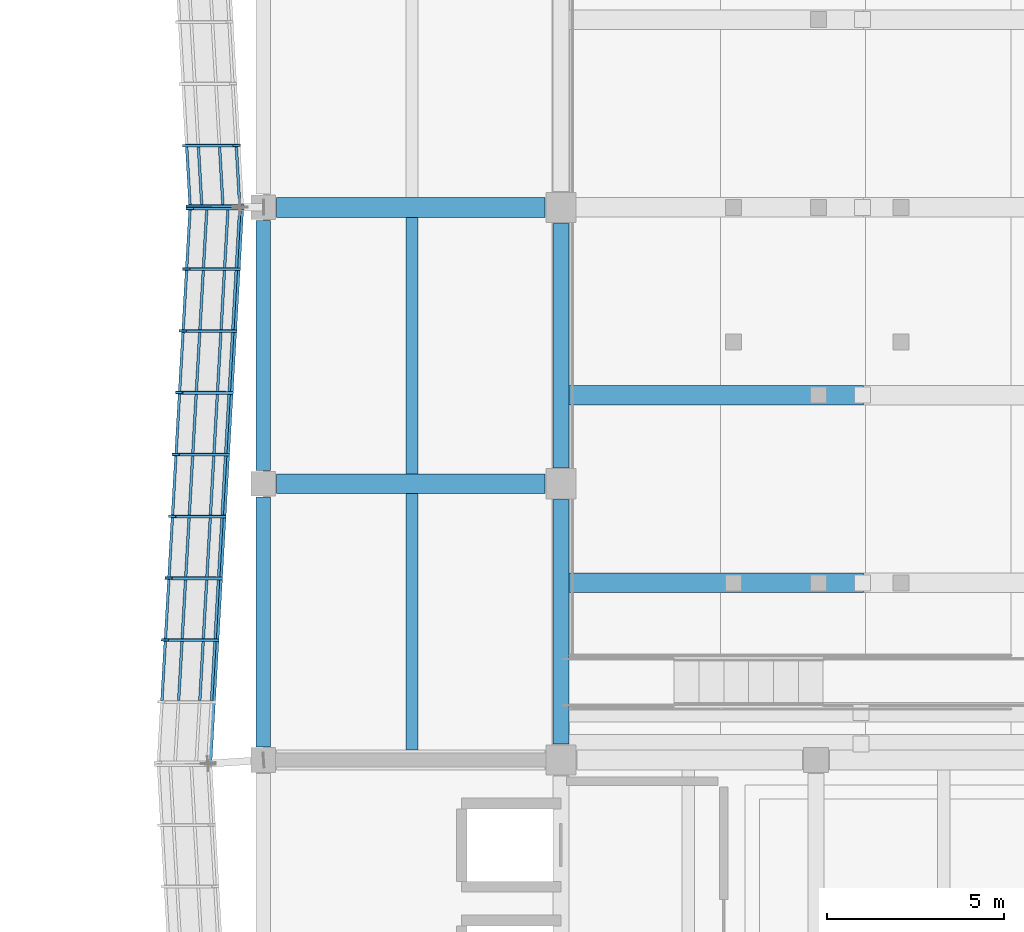
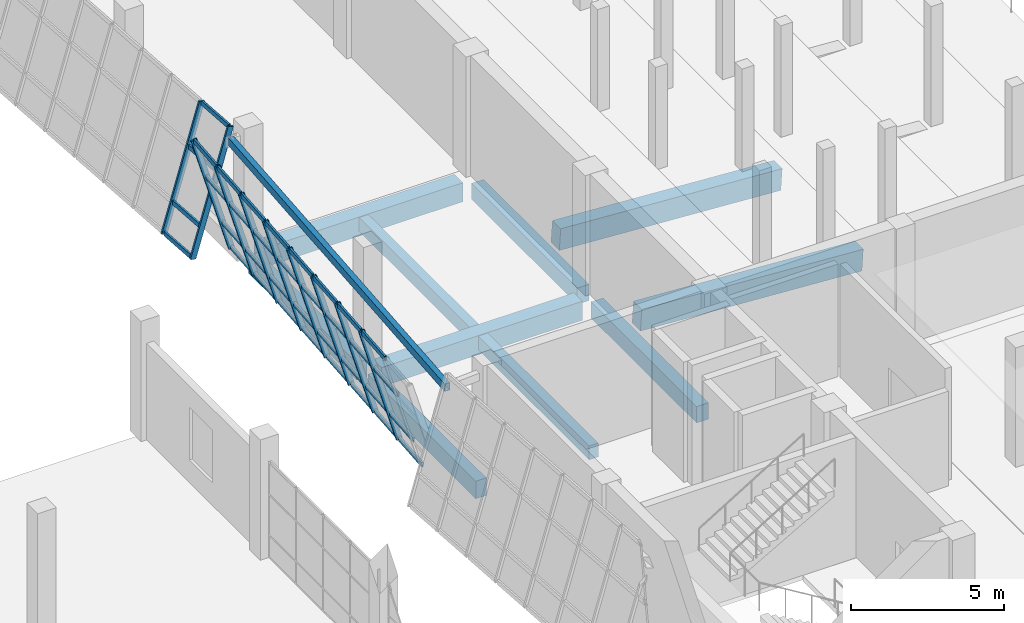
# One storey, part 31 of 91: 46 members, 11 beams, 2 elements without a shape of their own.
"""IFC4 building model written with IfcOpenShell, lengths in metres."""

from ifc_helpers import new_model, si_unit, direction, frame, origin, origin_2d, place, context, subcontext, project, spatial, rectangle, hollow_rectangle, extrude, material, material_profile, profile_set, type_object, element, aggregate, save


model = new_model("IFC4")

# Units and contexts
model_context = context("Model", 3, precision=1e-05, world=origin(), true_north=direction((0.0, 1.0)))
body_context = subcontext(model_context, "Body", "Model", "MODEL_VIEW")
ifc_project = project(units=[si_unit("LENGTHUNIT", "METRE"), si_unit("AREAUNIT", "SQUARE_METRE"), si_unit("VOLUMEUNIT", "CUBIC_METRE"), si_unit("PLANEANGLEUNIT", "RADIAN"), si_unit("MASSUNIT", "GRAM", prefix="KILO")], contexts=[model_context])

# Site, building, storey
site_placement = place(None, origin())
site = spatial("IfcSite", under=ifc_project, at=site_placement, CompositionType="ELEMENT")
building_placement = place(site_placement, origin())
building = spatial("IfcBuilding", under=site, at=building_placement, Name="Pellamere Symphony Hall", CompositionType="ELEMENT")
storey_placement = place(building_placement, frame((0.0, 0.0, 5.39990234375)))
storey = spatial("IfcBuildingStorey", under=building, at=storey_placement, Name="L01", CompositionType="ELEMENT", Elevation=5.39990234375)

# Curtain wall, members
ifc_material_1 = material(Name="Thermally Broken Anodised Aluminium 6063-T6 Curtain Wall", Category="aluminium")
curtain_wall_type = type_object("IfcCurtainWallType", Name="Curtain Wall CW-01 (Tilted Faceted Crystal Low-Iron Curtain Wall)", PredefinedType="NOTDEFINED", material=ifc_material_1)
curtain_wall_1_placement = place(storey_placement, origin())
curtain_wall_1 = element("IfcCurtainWall", 1, at=curtain_wall_1_placement, inside=storey, type_object=curtain_wall_type, Name="Crystal Faceted Curtain Wall CW-CR16 (L01)", PredefinedType="NOTDEFINED")
ifc_material_2 = material(Name="Anodised Architectural Aluminium 6063-T6", Category="aluminium")
ifc_material_profile_1 = material_profile(ifc_material_2, hollow_rectangle(XDim=0.074951171875, YDim=0.219970703125, WallThickness=0.0048828125, at=origin_2d()), Name="ALU-M75X220X5")
ifc_profile_set_1 = profile_set([ifc_material_profile_1], Name="Anodised Architectural Aluminium 6063-T6")
member_type_1 = type_object("IfcMemberType", Name="Curtain Wall Mullion ML-01 ALU-M75X220X5", PredefinedType="MULLION", material=ifc_profile_set_1)
member_1_placement = place(storey_placement, frame((48.228271484375, 63.54443359375, 0.0), z_axis=(0.283977077304, 0.0, 0.958831069358), x_axis=(-0.054874749346, 0.99836096977, 0.016252259063)))
member_1 = element("IfcMember", 2, at=member_1_placement, type_object=member_type_1, Name="CW1-043 crystal mullion 9", PredefinedType="MULLION", context=body_context, shape_type="SweptSolid", body=[
    extrude(hollow_rectangle(XDim=0.074951171875, YDim=0.219970703125, WallThickness=0.0048828125, at=origin_2d()), origin(), (0.0, 0.0, 1.0), 5.006103515625),
])
member_2_placement = place(storey_placement, frame((48.326171875, 61.83740234375, 0.0), z_axis=(0.283977077304, 0.0, 0.958831069358), x_axis=(-0.054874749346, 0.99836096977, 0.016252259063)))
member_2 = element("IfcMember", 3, at=member_2_placement, type_object=member_type_1, Name="CW1-043 crystal mullion 10", PredefinedType="MULLION", context=body_context, shape_type="SweptSolid", body=[
    extrude(hollow_rectangle(XDim=0.074951171875, YDim=0.219970703125, WallThickness=0.0048828125, at=origin_2d()), origin(), (0.0, 0.0, 1.0), 5.006103515625),
])

curtain_wall_2_placement = place(storey_placement, origin())
curtain_wall_2 = element("IfcCurtainWall", 4, at=curtain_wall_2_placement, inside=storey, type_object=curtain_wall_type, Name="Crystal Faceted Curtain Wall CW-CR17 (L01)", PredefinedType="NOTDEFINED")
member_3_placement = place(storey_placement, frame((49.747802734375, 61.762451171875, 0.0), z_axis=(-0.283977077304, 0.0, 0.958831069358), x_axis=(-0.054874749346, -0.99836096977, -0.016252259063)))
member_3 = element("IfcMember", 5, at=member_3_placement, type_object=member_type_1, Name="CW1-048 crystal mullion 1", PredefinedType="MULLION", context=body_context, shape_type="SweptSolid", body=[
    extrude(hollow_rectangle(XDim=0.074951171875, YDim=0.219970703125, WallThickness=0.0048828125, at=origin_2d()), origin(), (0.0, 0.0, 1.0), 5.006103515625),
])
member_4_placement = place(storey_placement, frame((49.64990234375, 60.0556640625, 0.0), z_axis=(-0.283977077304, 0.0, 0.958831069358), x_axis=(-0.054874749346, -0.99836096977, -0.016252259063)))
member_4 = element("IfcMember", 6, at=member_4_placement, type_object=member_type_1, Name="CW1-048 crystal mullion 2", PredefinedType="MULLION", context=body_context, shape_type="SweptSolid", body=[
    extrude(hollow_rectangle(XDim=0.074951171875, YDim=0.219970703125, WallThickness=0.0048828125, at=origin_2d()), origin(), (0.0, 0.0, 1.0), 5.006103515625),
])
member_5_placement = place(storey_placement, frame((49.550048828125, 58.31103515625, 0.0), z_axis=(-0.284021911736, 0.0, 0.9588177896), x_axis=(-0.054873989333, -0.99836096977, -0.016254824977)))
member_5 = element("IfcMember", 7, at=member_5_placement, type_object=member_type_1, Name="CW1-048 crystal mullion 3", PredefinedType="MULLION", context=body_context, shape_type="SweptSolid", body=[
    extrude(hollow_rectangle(XDim=0.074951171875, YDim=0.219970703125, WallThickness=0.0048828125, at=origin_2d()), origin(), (0.0, 0.0, 1.0), 5.006103515625),
])
member_6_placement = place(storey_placement, frame((49.449951171875, 56.566650390625, 0.0), z_axis=(-0.283977077304, 0.0, 0.958831069358), x_axis=(-0.054874749346, -0.99836096977, -0.016252259063)))
member_6 = element("IfcMember", 8, at=member_6_placement, type_object=member_type_1, Name="CW1-048 crystal mullion 4", PredefinedType="MULLION", context=body_context, shape_type="SweptSolid", body=[
    extrude(hollow_rectangle(XDim=0.074951171875, YDim=0.219970703125, WallThickness=0.0048828125, at=origin_2d()), origin(), (0.0, 0.0, 1.0), 5.006103515625),
])
member_7_placement = place(storey_placement, frame((49.35009765625, 54.822265625, 0.0), z_axis=(-0.284021911736, 0.0, 0.9588177896), x_axis=(-0.054873989333, -0.99836096977, -0.016254824977)))
member_7 = element("IfcMember", 9, at=member_7_placement, type_object=member_type_1, Name="CW1-048 crystal mullion 5", PredefinedType="MULLION", context=body_context, shape_type="SweptSolid", body=[
    extrude(hollow_rectangle(XDim=0.074951171875, YDim=0.219970703125, WallThickness=0.0048828125, at=origin_2d()), origin(), (0.0, 0.0, 1.0), 5.006103515625),
])
member_8_placement = place(storey_placement, frame((49.25, 53.077880859375, 0.0), z_axis=(-0.284021911736, 0.0, 0.9588177896), x_axis=(-0.054873989333, -0.99836096977, -0.016254824977)))
member_8 = element("IfcMember", 10, at=member_8_placement, type_object=member_type_1, Name="CW1-048 crystal mullion 6", PredefinedType="MULLION", context=body_context, shape_type="SweptSolid", body=[
    extrude(hollow_rectangle(XDim=0.074951171875, YDim=0.219970703125, WallThickness=0.0048828125, at=origin_2d()), origin(), (0.0, 0.0, 1.0), 5.006103515625),
])
member_9_placement = place(storey_placement, frame((49.14990234375, 51.333251953125, 0.0), z_axis=(-0.283977077304, 0.0, 0.958831069358), x_axis=(-0.054874749346, -0.99836096977, -0.016252259063)))
member_9 = element("IfcMember", 11, at=member_9_placement, type_object=member_type_1, Name="CW1-048 crystal mullion 7", PredefinedType="MULLION", context=body_context, shape_type="SweptSolid", body=[
    extrude(hollow_rectangle(XDim=0.074951171875, YDim=0.219970703125, WallThickness=0.0048828125, at=origin_2d()), origin(), (0.0, 0.0, 1.0), 5.006103515625),
])
member_10_placement = place(storey_placement, frame((49.050048828125, 49.5888671875, 0.0), z_axis=(-0.284021911736, 0.0, 0.9588177896), x_axis=(-0.054873989333, -0.99836096977, -0.016254824977)))
member_10 = element("IfcMember", 12, at=member_10_placement, type_object=member_type_1, Name="CW1-048 crystal mullion 8", PredefinedType="MULLION", context=body_context, shape_type="SweptSolid", body=[
    extrude(hollow_rectangle(XDim=0.074951171875, YDim=0.219970703125, WallThickness=0.0048828125, at=origin_2d()), origin(), (0.0, 0.0, 1.0), 5.006103515625),
])

# Member
ifc_material_profile_2 = material_profile(ifc_material_2, hollow_rectangle(XDim=0.074951171875, YDim=0.179931640625, WallThickness=0.0048828125, at=origin_2d()), Name="ALU-T75X180X5")
ifc_profile_set_2 = profile_set([ifc_material_profile_2], Name="Anodised Architectural Aluminium 6063-T6")
member_type_2 = type_object("IfcMemberType", Name="Curtain Wall Transom TR-01 ALU-T75X180X5", PredefinedType="USERDEFINED", material=ifc_profile_set_2)
member_11_placement = place(storey_placement, frame((48.240966796875, 63.507080078125, 0.0361328125), z_axis=(0.057190120561, -0.998363305671, 0.0), x_axis=(0.998363305671, 0.057190120561, 0.0)))
member_11 = element("IfcMember", 13, at=member_11_placement, type_object=member_type_2, Name="CW1-043 crystal transom 9.1", ObjectType="TRANSOM", PredefinedType="USERDEFINED", context=body_context, shape_type="SweptSolid", body=[
    extrude(hollow_rectangle(XDim=0.074951171875, YDim=0.179931640625, WallThickness=0.0048828125, at=origin_2d()), origin(), (0.0, 0.0, 1.0), 1.635009765625),
])

member_12_placement = place(storey_placement, frame((48.571533203125, 63.507080078125, 1.152099609375), z_axis=(0.057190120561, -0.998363305671, 0.0), x_axis=(0.998363305671, 0.057190120561, 0.0)))
member_12 = element("IfcMember", 14, at=member_12_placement, type_object=member_type_2, Name="CW1-043 crystal transom 9.2", ObjectType="TRANSOM", PredefinedType="USERDEFINED", context=body_context, shape_type="SweptSolid", body=[
    extrude(hollow_rectangle(XDim=0.074951171875, YDim=0.179931640625, WallThickness=0.0048828125, at=origin_2d()), origin(), (0.0, 0.0, 1.0), 1.635009765625),
])

member_13_placement = place(storey_placement, frame((49.168701171875, 63.507080078125, 3.168212890625), z_axis=(0.057190120561, -0.998363305671, 0.0), x_axis=(0.998363305671, 0.057190120561, 0.0)))
member_13 = element("IfcMember", 15, at=member_13_placement, type_object=member_type_2, Name="CW1-043 crystal transom 9.3", ObjectType="TRANSOM", PredefinedType="USERDEFINED", context=body_context, shape_type="SweptSolid", body=[
    extrude(hollow_rectangle(XDim=0.074951171875, YDim=0.179931640625, WallThickness=0.0048828125, at=origin_2d()), origin(), (0.0, 0.0, 1.0), 1.635009765625),
])

member_14_placement = place(storey_placement, frame((49.6416015625, 63.507080078125, 4.76416015625), z_axis=(0.057190120561, -0.998363305671, 0.0), x_axis=(0.998363305671, 0.057190120561, 0.0)))
member_14 = element("IfcMember", 16, at=member_14_placement, type_object=member_type_2, Name="CW1-043 crystal transom 9.4", ObjectType="TRANSOM", PredefinedType="USERDEFINED", context=body_context, shape_type="SweptSolid", body=[
    extrude(hollow_rectangle(XDim=0.074951171875, YDim=0.179931640625, WallThickness=0.0048828125, at=origin_2d()), origin(), (0.0, 0.0, 1.0), 1.635009765625),
])

aggregate(curtain_wall_1, [member_1, member_2, member_11, member_12, member_13, member_14])

member_15_placement = place(storey_placement, frame((49.735107421875, 61.72509765625, 0.0361328125), z_axis=(-0.057198647566, -0.998362817175, 0.0), x_axis=(0.998362817175, -0.057198647566, 0.0)))
member_15 = element("IfcMember", 17, at=member_15_placement, type_object=member_type_2, Name="CW1-048 crystal transom 1.1", ObjectType="TRANSOM", PredefinedType="USERDEFINED", context=body_context, shape_type="SweptSolid", body=[
    extrude(hollow_rectangle(XDim=0.074951171875, YDim=0.179931640625, WallThickness=0.0048828125, at=origin_2d()), origin(), (0.0, 0.0, 1.0), 1.634765625),
])

member_16_placement = place(storey_placement, frame((49.404541015625, 61.72509765625, 1.152099609375), z_axis=(-0.057198647566, -0.998362817175, 0.0), x_axis=(0.998362817175, -0.057198647566, 0.0)))
member_16 = element("IfcMember", 18, at=member_16_placement, type_object=member_type_2, Name="CW1-048 crystal transom 1.2", ObjectType="TRANSOM", PredefinedType="USERDEFINED", context=body_context, shape_type="SweptSolid", body=[
    extrude(hollow_rectangle(XDim=0.074951171875, YDim=0.179931640625, WallThickness=0.0048828125, at=origin_2d()), origin(), (0.0, 0.0, 1.0), 1.634765625),
])

member_17_placement = place(storey_placement, frame((48.807373046875, 61.72509765625, 3.168212890625), z_axis=(-0.057198647566, -0.998362817175, 0.0), x_axis=(0.998362817175, -0.057198647566, 0.0)))
member_17 = element("IfcMember", 19, at=member_17_placement, type_object=member_type_2, Name="CW1-048 crystal transom 1.3", ObjectType="TRANSOM", PredefinedType="USERDEFINED", context=body_context, shape_type="SweptSolid", body=[
    extrude(hollow_rectangle(XDim=0.074951171875, YDim=0.179931640625, WallThickness=0.0048828125, at=origin_2d()), origin(), (0.0, 0.0, 1.0), 1.634765625),
])

member_18_placement = place(storey_placement, frame((48.33447265625, 61.72509765625, 4.76416015625), z_axis=(-0.057198647566, -0.998362817175, 0.0), x_axis=(0.998362817175, -0.057198647566, 0.0)))
member_18 = element("IfcMember", 20, at=member_18_placement, type_object=member_type_2, Name="CW1-048 crystal transom 1.4", ObjectType="TRANSOM", PredefinedType="USERDEFINED", context=body_context, shape_type="SweptSolid", body=[
    extrude(hollow_rectangle(XDim=0.074951171875, YDim=0.179931640625, WallThickness=0.0048828125, at=origin_2d()), origin(), (0.0, 0.0, 1.0), 1.634765625),
])

member_19_placement = place(storey_placement, frame((49.63720703125, 60.01806640625, 0.0361328125), z_axis=(-0.057232737422, -0.998360863499, 0.0), x_axis=(0.998360863499, -0.057232737422, 0.0)))
member_19 = element("IfcMember", 21, at=member_19_placement, type_object=member_type_2, Name="CW1-048 crystal transom 2.1", ObjectType="TRANSOM", PredefinedType="USERDEFINED", context=body_context, shape_type="SweptSolid", body=[
    extrude(hollow_rectangle(XDim=0.074951171875, YDim=0.179931640625, WallThickness=0.0048828125, at=origin_2d()), origin(), (0.0, 0.0, 1.0), 1.672119140625),
])

member_20_placement = place(storey_placement, frame((49.306640625, 60.01806640625, 1.152099609375), z_axis=(-0.057232737422, -0.998360863499, 0.0), x_axis=(0.998360863499, -0.057232737422, 0.0)))
member_20 = element("IfcMember", 22, at=member_20_placement, type_object=member_type_2, Name="CW1-048 crystal transom 2.2", ObjectType="TRANSOM", PredefinedType="USERDEFINED", context=body_context, shape_type="SweptSolid", body=[
    extrude(hollow_rectangle(XDim=0.074951171875, YDim=0.179931640625, WallThickness=0.0048828125, at=origin_2d()), origin(), (0.0, 0.0, 1.0), 1.672119140625),
])

member_21_placement = place(storey_placement, frame((48.70947265625, 60.01806640625, 3.168212890625), z_axis=(-0.057232737422, -0.998360863499, 0.0), x_axis=(0.998360863499, -0.057232737422, 0.0)))
member_21 = element("IfcMember", 23, at=member_21_placement, type_object=member_type_2, Name="CW1-048 crystal transom 2.3", ObjectType="TRANSOM", PredefinedType="USERDEFINED", context=body_context, shape_type="SweptSolid", body=[
    extrude(hollow_rectangle(XDim=0.074951171875, YDim=0.179931640625, WallThickness=0.0048828125, at=origin_2d()), origin(), (0.0, 0.0, 1.0), 1.672119140625),
])

member_22_placement = place(storey_placement, frame((48.23681640625, 60.01806640625, 4.76416015625), z_axis=(-0.057232737422, -0.998360863499, 0.0), x_axis=(0.998360863499, -0.057232737422, 0.0)))
member_22 = element("IfcMember", 24, at=member_22_placement, type_object=member_type_2, Name="CW1-048 crystal transom 2.4", ObjectType="TRANSOM", PredefinedType="USERDEFINED", context=body_context, shape_type="SweptSolid", body=[
    extrude(hollow_rectangle(XDim=0.074951171875, YDim=0.179931640625, WallThickness=0.0048828125, at=origin_2d()), origin(), (0.0, 0.0, 1.0), 1.672119140625),
])

member_23_placement = place(storey_placement, frame((49.537109375, 58.273681640625, 0.0361328125), z_axis=(-0.057224396245, -0.998361341637, 0.0), x_axis=(0.998361341637, -0.057224396245, 0.0)))
member_23 = element("IfcMember", 25, at=member_23_placement, type_object=member_type_2, Name="CW1-048 crystal transom 3.1", ObjectType="TRANSOM", PredefinedType="USERDEFINED", context=body_context, shape_type="SweptSolid", body=[
    extrude(hollow_rectangle(XDim=0.074951171875, YDim=0.179931640625, WallThickness=0.0048828125, at=origin_2d()), origin(), (0.0, 0.0, 1.0), 1.67236328125),
])

member_24_placement = place(storey_placement, frame((49.20654296875, 58.273681640625, 1.152099609375), z_axis=(-0.057224396245, -0.998361341637, 0.0), x_axis=(0.998361341637, -0.057224396245, 0.0)))
member_24 = element("IfcMember", 26, at=member_24_placement, type_object=member_type_2, Name="CW1-048 crystal transom 3.2", ObjectType="TRANSOM", PredefinedType="USERDEFINED", context=body_context, shape_type="SweptSolid", body=[
    extrude(hollow_rectangle(XDim=0.074951171875, YDim=0.179931640625, WallThickness=0.0048828125, at=origin_2d()), origin(), (0.0, 0.0, 1.0), 1.67236328125),
])

member_25_placement = place(storey_placement, frame((48.609375, 58.273681640625, 3.168212890625), z_axis=(-0.057224396245, -0.998361341637, 0.0), x_axis=(0.998361341637, -0.057224396245, 0.0)))
member_25 = element("IfcMember", 27, at=member_25_placement, type_object=member_type_2, Name="CW1-048 crystal transom 3.3", ObjectType="TRANSOM", PredefinedType="USERDEFINED", context=body_context, shape_type="SweptSolid", body=[
    extrude(hollow_rectangle(XDim=0.074951171875, YDim=0.179931640625, WallThickness=0.0048828125, at=origin_2d()), origin(), (0.0, 0.0, 1.0), 1.67236328125),
])

member_26_placement = place(storey_placement, frame((48.13671875, 58.273681640625, 4.76416015625), z_axis=(-0.057224396245, -0.998361341637, 0.0), x_axis=(0.998361341637, -0.057224396245, 0.0)))
member_26 = element("IfcMember", 28, at=member_26_placement, type_object=member_type_2, Name="CW1-048 crystal transom 3.4", ObjectType="TRANSOM", PredefinedType="USERDEFINED", context=body_context, shape_type="SweptSolid", body=[
    extrude(hollow_rectangle(XDim=0.074951171875, YDim=0.179931640625, WallThickness=0.0048828125, at=origin_2d()), origin(), (0.0, 0.0, 1.0), 1.67236328125),
])

member_27_placement = place(storey_placement, frame((49.437255859375, 56.529296875, 0.0361328125), z_axis=(-0.057224396245, -0.998361341637, 0.0), x_axis=(0.998361341637, -0.057224396245, 0.0)))
member_27 = element("IfcMember", 29, at=member_27_placement, type_object=member_type_2, Name="CW1-048 crystal transom 4.1", ObjectType="TRANSOM", PredefinedType="USERDEFINED", context=body_context, shape_type="SweptSolid", body=[
    extrude(hollow_rectangle(XDim=0.074951171875, YDim=0.179931640625, WallThickness=0.0048828125, at=origin_2d()), origin(), (0.0, 0.0, 1.0), 1.67236328125),
])

member_28_placement = place(storey_placement, frame((49.106689453125, 56.529296875, 1.152099609375), z_axis=(-0.057224396245, -0.998361341637, 0.0), x_axis=(0.998361341637, -0.057224396245, 0.0)))
member_28 = element("IfcMember", 30, at=member_28_placement, type_object=member_type_2, Name="CW1-048 crystal transom 4.2", ObjectType="TRANSOM", PredefinedType="USERDEFINED", context=body_context, shape_type="SweptSolid", body=[
    extrude(hollow_rectangle(XDim=0.074951171875, YDim=0.179931640625, WallThickness=0.0048828125, at=origin_2d()), origin(), (0.0, 0.0, 1.0), 1.67236328125),
])

member_29_placement = place(storey_placement, frame((48.509521484375, 56.529296875, 3.168212890625), z_axis=(-0.057224396245, -0.998361341637, 0.0), x_axis=(0.998361341637, -0.057224396245, 0.0)))
member_29 = element("IfcMember", 31, at=member_29_placement, type_object=member_type_2, Name="CW1-048 crystal transom 4.3", ObjectType="TRANSOM", PredefinedType="USERDEFINED", context=body_context, shape_type="SweptSolid", body=[
    extrude(hollow_rectangle(XDim=0.074951171875, YDim=0.179931640625, WallThickness=0.0048828125, at=origin_2d()), origin(), (0.0, 0.0, 1.0), 1.67236328125),
])

member_30_placement = place(storey_placement, frame((48.03662109375, 56.529296875, 4.76416015625), z_axis=(-0.057224396245, -0.998361341637, 0.0), x_axis=(0.998361341637, -0.057224396245, 0.0)))
member_30 = element("IfcMember", 32, at=member_30_placement, type_object=member_type_2, Name="CW1-048 crystal transom 4.4", ObjectType="TRANSOM", PredefinedType="USERDEFINED", context=body_context, shape_type="SweptSolid", body=[
    extrude(hollow_rectangle(XDim=0.074951171875, YDim=0.179931640625, WallThickness=0.0048828125, at=origin_2d()), origin(), (0.0, 0.0, 1.0), 1.67236328125),
])

member_31_placement = place(storey_placement, frame((49.337158203125, 54.78466796875, 0.0361328125), z_axis=(-0.057232737422, -0.998360863499, 0.0), x_axis=(0.998360863499, -0.057232737422, 0.0)))
member_31 = element("IfcMember", 33, at=member_31_placement, type_object=member_type_2, Name="CW1-048 crystal transom 5.1", ObjectType="TRANSOM", PredefinedType="USERDEFINED", context=body_context, shape_type="SweptSolid", body=[
    extrude(hollow_rectangle(XDim=0.074951171875, YDim=0.179931640625, WallThickness=0.0048828125, at=origin_2d()), origin(), (0.0, 0.0, 1.0), 1.672119140625),
])

member_32_placement = place(storey_placement, frame((49.006591796875, 54.78466796875, 1.152099609375), z_axis=(-0.057232737422, -0.998360863499, 0.0), x_axis=(0.998360863499, -0.057232737422, 0.0)))
member_32 = element("IfcMember", 34, at=member_32_placement, type_object=member_type_2, Name="CW1-048 crystal transom 5.2", ObjectType="TRANSOM", PredefinedType="USERDEFINED", context=body_context, shape_type="SweptSolid", body=[
    extrude(hollow_rectangle(XDim=0.074951171875, YDim=0.179931640625, WallThickness=0.0048828125, at=origin_2d()), origin(), (0.0, 0.0, 1.0), 1.672119140625),
])

member_33_placement = place(storey_placement, frame((48.409423828125, 54.78466796875, 3.168212890625), z_axis=(-0.057232737422, -0.998360863499, 0.0), x_axis=(0.998360863499, -0.057232737422, 0.0)))
member_33 = element("IfcMember", 35, at=member_33_placement, type_object=member_type_2, Name="CW1-048 crystal transom 5.3", ObjectType="TRANSOM", PredefinedType="USERDEFINED", context=body_context, shape_type="SweptSolid", body=[
    extrude(hollow_rectangle(XDim=0.074951171875, YDim=0.179931640625, WallThickness=0.0048828125, at=origin_2d()), origin(), (0.0, 0.0, 1.0), 1.672119140625),
])

member_34_placement = place(storey_placement, frame((47.936767578125, 54.78466796875, 4.76416015625), z_axis=(-0.057232737422, -0.998360863499, 0.0), x_axis=(0.998360863499, -0.057232737422, 0.0)))
member_34 = element("IfcMember", 36, at=member_34_placement, type_object=member_type_2, Name="CW1-048 crystal transom 5.4", ObjectType="TRANSOM", PredefinedType="USERDEFINED", context=body_context, shape_type="SweptSolid", body=[
    extrude(hollow_rectangle(XDim=0.074951171875, YDim=0.179931640625, WallThickness=0.0048828125, at=origin_2d()), origin(), (0.0, 0.0, 1.0), 1.672119140625),
])

member_35_placement = place(storey_placement, frame((49.2373046875, 53.040283203125, 0.0361328125), z_axis=(-0.057232737422, -0.998360863499, 0.0), x_axis=(0.998360863499, -0.057232737422, 0.0)))
member_35 = element("IfcMember", 37, at=member_35_placement, type_object=member_type_2, Name="CW1-048 crystal transom 6.1", ObjectType="TRANSOM", PredefinedType="USERDEFINED", context=body_context, shape_type="SweptSolid", body=[
    extrude(hollow_rectangle(XDim=0.074951171875, YDim=0.179931640625, WallThickness=0.0048828125, at=origin_2d()), origin(), (0.0, 0.0, 1.0), 1.672119140625),
])

member_36_placement = place(storey_placement, frame((48.90673828125, 53.040283203125, 1.152099609375), z_axis=(-0.057232737422, -0.998360863499, 0.0), x_axis=(0.998360863499, -0.057232737422, 0.0)))
member_36 = element("IfcMember", 38, at=member_36_placement, type_object=member_type_2, Name="CW1-048 crystal transom 6.2", ObjectType="TRANSOM", PredefinedType="USERDEFINED", context=body_context, shape_type="SweptSolid", body=[
    extrude(hollow_rectangle(XDim=0.074951171875, YDim=0.179931640625, WallThickness=0.0048828125, at=origin_2d()), origin(), (0.0, 0.0, 1.0), 1.672119140625),
])

member_37_placement = place(storey_placement, frame((48.3095703125, 53.040283203125, 3.168212890625), z_axis=(-0.057232737422, -0.998360863499, 0.0), x_axis=(0.998360863499, -0.057232737422, 0.0)))
member_37 = element("IfcMember", 39, at=member_37_placement, type_object=member_type_2, Name="CW1-048 crystal transom 6.3", ObjectType="TRANSOM", PredefinedType="USERDEFINED", context=body_context, shape_type="SweptSolid", body=[
    extrude(hollow_rectangle(XDim=0.074951171875, YDim=0.179931640625, WallThickness=0.0048828125, at=origin_2d()), origin(), (0.0, 0.0, 1.0), 1.672119140625),
])

member_38_placement = place(storey_placement, frame((47.836669921875, 53.040283203125, 4.76416015625), z_axis=(-0.057232737422, -0.998360863499, 0.0), x_axis=(0.998360863499, -0.057232737422, 0.0)))
member_38 = element("IfcMember", 40, at=member_38_placement, type_object=member_type_2, Name="CW1-048 crystal transom 6.4", ObjectType="TRANSOM", PredefinedType="USERDEFINED", context=body_context, shape_type="SweptSolid", body=[
    extrude(hollow_rectangle(XDim=0.074951171875, YDim=0.179931640625, WallThickness=0.0048828125, at=origin_2d()), origin(), (0.0, 0.0, 1.0), 1.672119140625),
])

member_39_placement = place(storey_placement, frame((49.13720703125, 51.2958984375, 0.0361328125), z_axis=(-0.057224396245, -0.998361341637, 0.0), x_axis=(0.998361341637, -0.057224396245, 0.0)))
member_39 = element("IfcMember", 41, at=member_39_placement, type_object=member_type_2, Name="CW1-048 crystal transom 7.1", ObjectType="TRANSOM", PredefinedType="USERDEFINED", context=body_context, shape_type="SweptSolid", body=[
    extrude(hollow_rectangle(XDim=0.074951171875, YDim=0.179931640625, WallThickness=0.0048828125, at=origin_2d()), origin(), (0.0, 0.0, 1.0), 1.67236328125),
])

member_40_placement = place(storey_placement, frame((48.806640625, 51.2958984375, 1.152099609375), z_axis=(-0.057224396245, -0.998361341637, 0.0), x_axis=(0.998361341637, -0.057224396245, 0.0)))
member_40 = element("IfcMember", 42, at=member_40_placement, type_object=member_type_2, Name="CW1-048 crystal transom 7.2", ObjectType="TRANSOM", PredefinedType="USERDEFINED", context=body_context, shape_type="SweptSolid", body=[
    extrude(hollow_rectangle(XDim=0.074951171875, YDim=0.179931640625, WallThickness=0.0048828125, at=origin_2d()), origin(), (0.0, 0.0, 1.0), 1.67236328125),
])

member_41_placement = place(storey_placement, frame((48.20947265625, 51.2958984375, 3.168212890625), z_axis=(-0.057224396245, -0.998361341637, 0.0), x_axis=(0.998361341637, -0.057224396245, 0.0)))
member_41 = element("IfcMember", 43, at=member_41_placement, type_object=member_type_2, Name="CW1-048 crystal transom 7.3", ObjectType="TRANSOM", PredefinedType="USERDEFINED", context=body_context, shape_type="SweptSolid", body=[
    extrude(hollow_rectangle(XDim=0.074951171875, YDim=0.179931640625, WallThickness=0.0048828125, at=origin_2d()), origin(), (0.0, 0.0, 1.0), 1.67236328125),
])

member_42_placement = place(storey_placement, frame((47.73681640625, 51.2958984375, 4.76416015625), z_axis=(-0.057224396245, -0.998361341637, 0.0), x_axis=(0.998361341637, -0.057224396245, 0.0)))
member_42 = element("IfcMember", 44, at=member_42_placement, type_object=member_type_2, Name="CW1-048 crystal transom 7.4", ObjectType="TRANSOM", PredefinedType="USERDEFINED", context=body_context, shape_type="SweptSolid", body=[
    extrude(hollow_rectangle(XDim=0.074951171875, YDim=0.179931640625, WallThickness=0.0048828125, at=origin_2d()), origin(), (0.0, 0.0, 1.0), 1.67236328125),
])

member_43_placement = place(storey_placement, frame((49.037109375, 49.551513671875, 0.0361328125), z_axis=(-0.057224396245, -0.998361341637, 0.0), x_axis=(0.998361341637, -0.057224396245, 0.0)))
member_43 = element("IfcMember", 45, at=member_43_placement, type_object=member_type_2, Name="CW1-048 crystal transom 8.1", ObjectType="TRANSOM", PredefinedType="USERDEFINED", context=body_context, shape_type="SweptSolid", body=[
    extrude(hollow_rectangle(XDim=0.074951171875, YDim=0.179931640625, WallThickness=0.0048828125, at=origin_2d()), origin(), (0.0, 0.0, 1.0), 1.67236328125),
])

member_44_placement = place(storey_placement, frame((48.70654296875, 49.551513671875, 1.152099609375), z_axis=(-0.057224396245, -0.998361341637, 0.0), x_axis=(0.998361341637, -0.057224396245, 0.0)))
member_44 = element("IfcMember", 46, at=member_44_placement, type_object=member_type_2, Name="CW1-048 crystal transom 8.2", ObjectType="TRANSOM", PredefinedType="USERDEFINED", context=body_context, shape_type="SweptSolid", body=[
    extrude(hollow_rectangle(XDim=0.074951171875, YDim=0.179931640625, WallThickness=0.0048828125, at=origin_2d()), origin(), (0.0, 0.0, 1.0), 1.67236328125),
])

member_45_placement = place(storey_placement, frame((48.109375, 49.551513671875, 3.168212890625), z_axis=(-0.057224396245, -0.998361341637, 0.0), x_axis=(0.998361341637, -0.057224396245, 0.0)))
member_45 = element("IfcMember", 47, at=member_45_placement, type_object=member_type_2, Name="CW1-048 crystal transom 8.3", ObjectType="TRANSOM", PredefinedType="USERDEFINED", context=body_context, shape_type="SweptSolid", body=[
    extrude(hollow_rectangle(XDim=0.074951171875, YDim=0.179931640625, WallThickness=0.0048828125, at=origin_2d()), origin(), (0.0, 0.0, 1.0), 1.67236328125),
])

member_46_placement = place(storey_placement, frame((47.63671875, 49.551513671875, 4.76416015625), z_axis=(-0.057224396245, -0.998361341637, 0.0), x_axis=(0.998361341637, -0.057224396245, 0.0)))
member_46 = element("IfcMember", 48, at=member_46_placement, type_object=member_type_2, Name="CW1-048 crystal transom 8.4", ObjectType="TRANSOM", PredefinedType="USERDEFINED", context=body_context, shape_type="SweptSolid", body=[
    extrude(hollow_rectangle(XDim=0.074951171875, YDim=0.179931640625, WallThickness=0.0048828125, at=origin_2d()), origin(), (0.0, 0.0, 1.0), 1.67236328125),
])

aggregate(curtain_wall_2, [member_3, member_4, member_5, member_6, member_7, member_8, member_9, member_10, member_15, member_16, member_17, member_18, member_19, member_20, member_21, member_22, member_23, member_24, member_25, member_26, member_27, member_28, member_29, member_30, member_31, member_32, member_33, member_34, member_35, member_36, member_37, member_38, member_39, member_40, member_41, member_42, member_43, member_44, member_45, member_46])

# Beams
ifc_material_3 = material(Name="Concrete 40 MPa", Category="concrete")
ifc_material_profile_3 = material_profile(ifc_material_3, rectangle(XDim=0.449951171875, YDim=0.64990234375, at=origin_2d()), Name="RC 450x650")
ifc_profile_set_3 = profile_set([ifc_material_profile_3], Name="Concrete 40 MPa")
beam_type_1 = type_object("IfcBeamType", Name="RC CB-08 450x650", PredefinedType="BEAM", material=ifc_profile_set_3)
for number, where, z_axis, x_axis, name in (
    (49, (58.800048828125, 46.64990234375, -0.60498046875), (0.0, 1.0, 0.0), (-1.0, 0.0, 0.0), "Girder CB-08-Y0760 (L01)"),
    (50, (58.800048828125, 54.449951171875, -0.60498046875), (0.0, 1.0, 0.0), (-1.0, 0.0, 0.0), "Girder CB-08-Y0761 (L01)"),
):
    element("IfcBeam", number, at=place(storey_placement, frame(where, z_axis=z_axis, x_axis=x_axis)), inside=storey, type_object=beam_type_1, Name=name, PredefinedType="BEAM", context=body_context, shape_type="SweptSolid", body=[
        extrude(rectangle(XDim=0.449951171875, YDim=0.64990234375, at=origin_2d()), origin(), (0.0, 0.0, 1.0), 6.900146484375),
    ])
ifc_material_4 = material(Name="Concrete 35 MPa", Category="concrete")
ifc_material_profile_4 = material_profile(ifc_material_4, rectangle(XDim=0.35009765625, YDim=0.550048828125, at=origin_2d()), Name="RC 350x550")
ifc_profile_set_4 = profile_set([ifc_material_profile_4], Name="Concrete 35 MPa")
beam_type_2 = type_object("IfcBeamType", Name="RC CB-10 350x550", PredefinedType="BEAM", material=ifc_profile_set_4)
for number, where, z_axis, x_axis, name in (
    (51, (54.60009765625, 46.47998046875, -0.56982421875), (0.0, 1.0, 0.0), (-1.0, 0.0, 0.0), "Secondary Floor Beam CB-10-M0606 (L01)"),
    (52, (54.60009765625, 54.280029296875, -0.56982421875), (0.0, 1.0, 0.0), (-1.0, 0.0, 0.0), "Secondary Floor Beam CB-10-M0607 (L01)"),
):
    element("IfcBeam", number, at=place(storey_placement, frame(where, z_axis=z_axis, x_axis=x_axis)), inside=storey, type_object=beam_type_2, Name=name, PredefinedType="BEAM", context=body_context, shape_type="SweptSolid", body=[
        extrude(rectangle(XDim=0.35009765625, YDim=0.550048828125, at=origin_2d()), origin(), (0.0, 0.0, 1.0), 7.239990234375),
    ])
ifc_material_profile_5 = material_profile(ifc_material_3, rectangle(XDim=0.39990234375, YDim=0.699951171875, at=origin_2d()), Name="RC 400x700")
ifc_profile_set_5 = profile_set([ifc_material_profile_5], Name="Concrete 40 MPa")
beam_type_3 = type_object("IfcBeamType", Name="RC CB-13 400x700", PredefinedType="SPANDREL", material=ifc_profile_set_5)
for number, where, z_axis, x_axis, name in (
    (53, (50.39990234375, 46.574951171875, -0.6298828125), (0.0, 1.0, 0.0), (-1.0, 0.0, 0.0), "Girder CB-13-Y0750 (L01)"),
    (54, (50.39990234375, 54.375, -0.6298828125), (0.0, 1.0, 0.0), (-1.0, 0.0, 0.0), "Girder CB-13-Y0751 (L01)"),
):
    element("IfcBeam", number, at=place(storey_placement, frame(where, z_axis=z_axis, x_axis=x_axis)), inside=storey, type_object=beam_type_3, Name=name, PredefinedType="SPANDREL", context=body_context, shape_type="SweptSolid", body=[
        extrude(rectangle(XDim=0.39990234375, YDim=0.699951171875, at=origin_2d()), origin(), (0.0, 0.0, 1.0), 7.050048828125),
    ])
ifc_material_profile_6 = material_profile(ifc_material_3, rectangle(XDim=0.56005859375, YDim=0.760009765625, at=origin_2d()), Name="RC 560x760")
ifc_profile_set_6 = profile_set([ifc_material_profile_6], Name="Concrete 40 MPa")
beam_type_4 = type_object("IfcBeamType", Name="RC CB-18 560x760", PredefinedType="BEAM", material=ifc_profile_set_6)
for number, where, z_axis, x_axis, name in (
    (55, (50.77490234375, 54.0, -0.659912109375), (1.0, 0.0, 0.0), (0.0, 1.0, 0.0), "Girder CB-18-X0640 (L01)"),
    (56, (50.77490234375, 61.800048828125, -0.659912109375), (1.0, 0.0, 0.0), (0.0, 1.0, 0.0), "Girder CB-18-X0648 (L01)"),
):
    element("IfcBeam", number, at=place(storey_placement, frame(where, z_axis=z_axis, x_axis=x_axis)), inside=storey, type_object=beam_type_4, Name=name, PredefinedType="BEAM", context=body_context, shape_type="SweptSolid", body=[
        extrude(rectangle(XDim=0.56005859375, YDim=0.760009765625, at=origin_2d()), origin(), (0.0, 0.0, 1.0), 7.5751953125),
    ])
ifc_material_profile_7 = material_profile(ifc_material_3, rectangle(XDim=0.550048828125, YDim=0.85009765625, at=origin_2d()), Name="RC 550x850")
ifc_profile_set_7 = profile_set([ifc_material_profile_7], Name="Concrete 40 MPa")
beam_type_5 = type_object("IfcBeamType", Name="RC RK-02 550x850", PredefinedType="BEAM", material=ifc_profile_set_7)
for number, where, z_axis, x_axis, name in (
    (57, (67.31201171875, 51.199951171875, -0.082275390625), (-0.998017387032, 0.0, 0.062938820939), (0.0, -1.0, 0.0), "Stand Dress Circle Raker Beam RK-02-028"),
    (58, (67.31201171875, 56.5, -0.082275390625), (-0.998017387032, 0.0, 0.062938820939), (0.0, -1.0, 0.0), "Stand Dress Circle Raker Beam RK-02-030"),
):
    element("IfcBeam", number, at=place(storey_placement, frame(where, z_axis=z_axis, x_axis=x_axis)), inside=storey, type_object=beam_type_5, Name=name, PredefinedType="BEAM", context=body_context, shape_type="SweptSolid", body=[
        extrude(rectangle(XDim=0.550048828125, YDim=0.85009765625, at=origin_2d()), origin(), (0.0, 0.0, 1.0), 8.378662109375),
    ])
ifc_material_5 = material(Name="Steel CSA G40.21 350W", Category="steel")
ifc_material_profile_8 = material_profile(ifc_material_5, hollow_rectangle(XDim=0.203125, YDim=0.3046875, WallThickness=0.0126953125, at=origin_2d()), Name="HSS305X203X13")
ifc_profile_set_8 = profile_set([ifc_material_profile_8], Name="Steel CSA G40.21 350W")
beam_type_6 = type_object("IfcBeamType", Name="Steel Spandrel SB-26 HSS305X203X13", PredefinedType="SPANDREL", material=ifc_profile_set_8)
beam_placement = place(storey_placement, frame((49.75, 61.800048828125, 4.239990234375), z_axis=(-0.057224871396, -0.998361314402, 0.0), x_axis=(0.998361314402, -0.057224871396, 0.0)))
element("IfcBeam", 59, at=beam_placement, inside=storey, type_object=beam_type_6, Name="Crystal Perimeter Ring Beam CW-CR17 (L01)", PredefinedType="SPANDREL", context=body_context, shape_type="SweptSolid", body=[
    extrude(hollow_rectangle(XDim=0.203125, YDim=0.3046875, WallThickness=0.0126953125, at=origin_2d()), origin(), (0.0, 0.0, 1.0), 15.725830078125),
])

save(model, "model.ifc")
